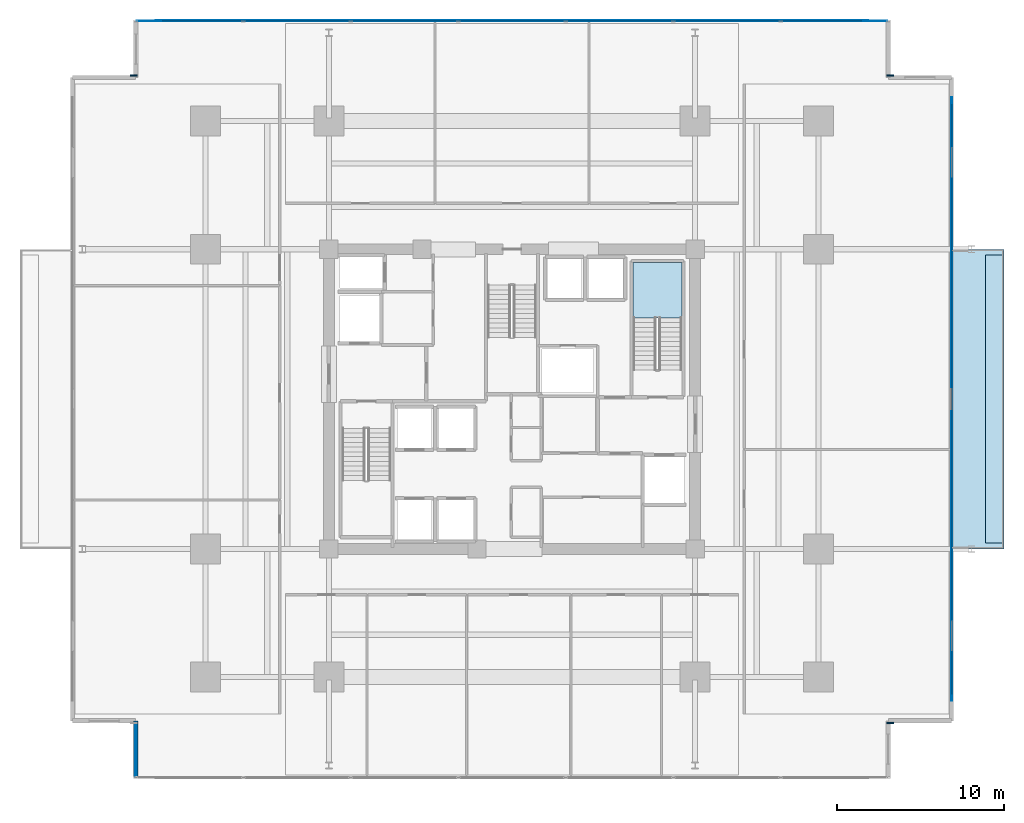
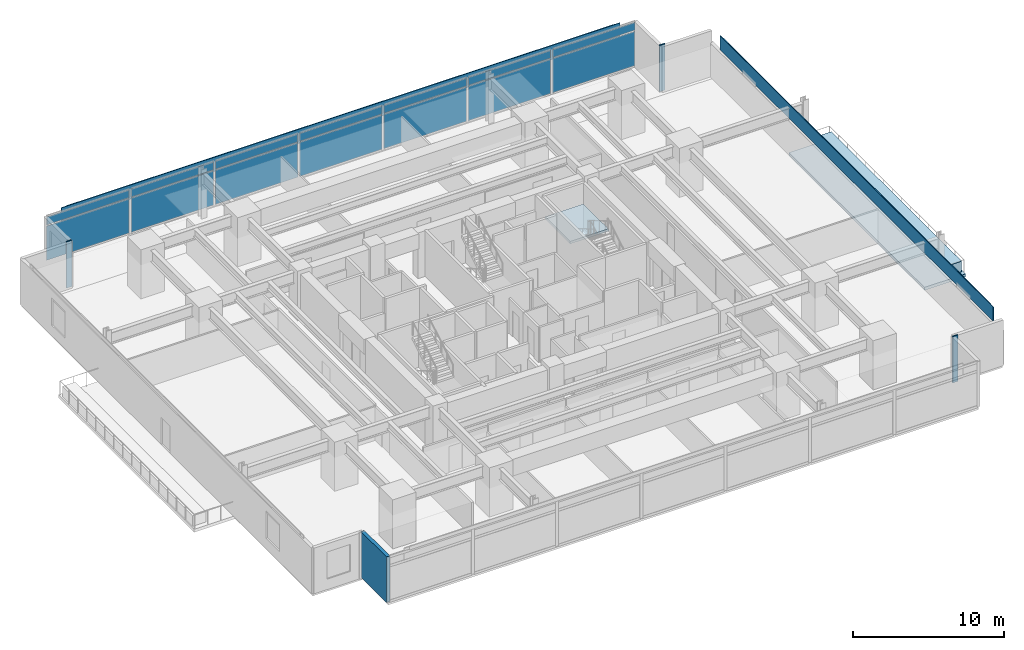
# One storey, part 15 of 23: 21 plates, 3 slabs, 1 wall, 2 elements without a shape of their own.
"""IFC4 building model written with IfcOpenShell, lengths in metres."""

import ifcopenshell
import ifcopenshell.guid

model = None  # the IFC model being written
_history = None  # IfcOwnerHistory: only IFC2X3 demands one
_inside = {}  # id of a spatial element -> (the spatial element, [elements in it])
_under = {}  # id of a project, library or spatial element -> (it, [spatial elements below it])
_declared = {}  # id of a project -> (the project, [libraries it declares])
_typed = {}  # id of a type object -> (the type object, [elements of that type])
_made_of = {}  # id of a material, layer set ... -> (it, [elements and type objects made of it])


def new_model(schema):
    """Start an empty IFC model of exactly this schema.

    Asked for "IFC4X3", IfcOpenShell would pick the latest addendum, in which some entities
    have other attributes; the version numbers below select the first issue.
    IFC2X3 requires an IfcOwnerHistory on every rooted entity: one is made here for all.
    """
    global model, _history
    if schema == "IFC4X3":
        model = ifcopenshell.file(schema_version=(4, 3, 0, 0))
    else:
        model = ifcopenshell.file(schema=schema)
    _inside.clear()
    _under.clear()
    _declared.clear()
    _typed.clear()
    _made_of.clear()
    _history = None
    if model.schema == "IFC2X3":
        org = make("IfcOrganization", Name="unknown")
        user = make(
            "IfcPersonAndOrganization",
            ThePerson=make("IfcPerson", FamilyName="unknown"),
            TheOrganization=org,
        )
        app = make(
            "IfcApplication",
            ApplicationDeveloper=org,
            Version="unknown",
            ApplicationFullName="unknown",
            ApplicationIdentifier="unknown",
        )
        _history = make(
            "IfcOwnerHistory",
            OwningUser=user,
            OwningApplication=app,
            ChangeAction="ADDED",
            CreationDate=0,
        )
    return model


def make(cls, **values):
    """One entity of the class cls with the attributes given. An attribute that is None is left unset."""
    return model.create_entity(
        cls, **{name: value for name, value in values.items() if value is not None}
    )


def rooted(cls, **values):
    """An entity with a GlobalId (a new one), such as an element, a storey or a relation."""
    return make(cls, GlobalId=ifcopenshell.guid.new(), OwnerHistory=_history, **values)


def si_unit(unit_type, name, prefix=None):
    """IfcSIUnit, for example si_unit("LENGTHUNIT", "METRE", prefix="MILLI")."""
    return make("IfcSIUnit", UnitType=unit_type, Prefix=prefix, Name=name)


def assignment(units):
    """IfcUnitAssignment: the units of a project."""
    return None if units is None else make("IfcUnitAssignment", Units=units)


def point(xyz):
    """IfcCartesianPoint."""
    return None if xyz is None else make("IfcCartesianPoint", Coordinates=xyz)


def direction(xyz):
    """IfcDirection."""
    return None if xyz is None else make("IfcDirection", DirectionRatios=xyz)


def frame(location, z_axis=None, x_axis=None):
    """IfcAxis2Placement3D, a coordinate frame: its origin and axes. An axis left out is left unset."""
    return make(
        "IfcAxis2Placement3D",
        Location=point(location),
        Axis=direction(z_axis),
        RefDirection=direction(x_axis),
    )


def frame_2d(location, x_axis=None):
    """IfcAxis2Placement2D, a coordinate frame in the plane: its origin and x axis."""
    return make(
        "IfcAxis2Placement2D", Location=point(location), RefDirection=direction(x_axis)
    )


def origin():
    """The frame at (0, 0, 0) with its axes left unset."""
    return frame((0.0, 0.0, 0.0))


def origin_2d():
    """The frame at (0, 0) in the plane with its x axis left unset."""
    return frame_2d((0.0, 0.0))


def place(relative_to, where):
    """IfcLocalPlacement: puts the frame where relative to a parent placement (None: the world)."""
    return make(
        "IfcLocalPlacement", PlacementRelTo=relative_to, RelativePlacement=where
    )


def context(
    kind, dimensions, precision=None, world=None, true_north=None, identifier=None
):
    """IfcGeometricRepresentationContext, for example the 3D "Model" context."""
    return make(
        "IfcGeometricRepresentationContext",
        ContextIdentifier=identifier,
        ContextType=kind,
        CoordinateSpaceDimension=dimensions,
        Precision=precision,
        WorldCoordinateSystem=world,
        TrueNorth=true_north,
    )


def subcontext(parent, identifier, kind, view, scale=None):
    """IfcGeometricRepresentationSubContext, for example "Body" below "Model"."""
    return make(
        "IfcGeometricRepresentationSubContext",
        ContextIdentifier=identifier,
        ContextType=kind,
        ParentContext=parent,
        TargetScale=scale,
        TargetView=view,
    )


def project(units=None, contexts=None):
    """IfcProject with its units and contexts."""
    return rooted(
        "IfcProject",
        Name="project",
        RepresentationContexts=contexts,
        UnitsInContext=assignment(units),
    )


def spatial(cls, under=None, at=None, **own):
    """A site, building, storey or space (cls), placed at a placement, below another one or the project."""
    s = rooted(cls, ObjectPlacement=at, **own)
    if under is not None:
        _under.setdefault(under.id(), (under, []))[1].append(s)
    return s


def polyline(points):
    """IfcPolyline through the points."""
    return make("IfcPolyline", Points=[point(p) for p in points])


def profile(cls, at=None, kind="AREA", **sizes):
    """A parametric profile (cls). Its sizes go by their IFC names, for example OverallWidth=200.0."""
    return make(cls, ProfileType=kind, Position=at, **sizes)


def rectangle(**sizes):
    """IfcRectangleProfileDef."""
    return profile("IfcRectangleProfileDef", **sizes)


def outline(outer, holes=None, kind="AREA"):
    """IfcArbitraryClosedProfileDef: a profile drawn as a closed curve; with holes, ...WithVoids."""
    if holes is None:
        return make("IfcArbitraryClosedProfileDef", ProfileType=kind, OuterCurve=outer)
    return make(
        "IfcArbitraryProfileDefWithVoids",
        ProfileType=kind,
        OuterCurve=outer,
        InnerCurves=holes,
    )


def extrude(swept, where, along, depth):
    """IfcExtrudedAreaSolid: the profile swept, set in the frame where, extruded along a direction by depth."""
    return make(
        "IfcExtrudedAreaSolid",
        SweptArea=swept,
        Position=where,
        ExtrudedDirection=direction(along),
        Depth=depth,
    )


def shape(context_of_items, identifier, shape_type, items):
    """IfcShapeRepresentation: the items that make up one representation, for example the "Body"."""
    return make(
        "IfcShapeRepresentation",
        ContextOfItems=context_of_items,
        RepresentationIdentifier=identifier,
        RepresentationType=shape_type,
        Items=items,
    )


def material(Name=None, Category=None):
    """IfcMaterial."""
    return make("IfcMaterial", Name=Name, Category=Category)


def layer(
    of_material, thickness, ventilated=None, Name=None, Category=None, Priority=None
):
    """IfcMaterialLayer: one layer of a wall or slab, of a material (None: an air gap)."""
    return make(
        "IfcMaterialLayer",
        Material=of_material,
        LayerThickness=thickness,
        IsVentilated=ventilated,
        Name=Name,
        Category=Category,
        Priority=Priority,
    )


def layer_set(layers, Name=None):
    """IfcMaterialLayerSet."""
    return make("IfcMaterialLayerSet", MaterialLayers=layers, LayerSetName=Name)


def made_of(thing, what):
    """Note that an element or type object is made of a material, layer set ...; save() writes the relation."""
    if what is not None:
        _made_of.setdefault(what.id(), (what, []))[1].append(thing)
    return thing


def type_object(cls, material=None, **own):
    """A type object (cls), such as IfcWallType, which elements share."""
    return made_of(rooted(cls, **own), material)


def element(
    cls,
    number,
    at=None,
    inside=None,
    cuts=None,
    type_object=None,
    material=None,
    context=None,
    identifier="Body",
    shape_type=None,
    held_by="IfcProductDefinitionShape",
    body=None,
    shapes=None,
    **own,
):
    """One element of the class cls, such as IfcWall. Its Tag is "e" and its number.

    at: its placement. inside: the storey or other place that contains it. cuts: it is an
    opening in that element (IfcRelVoidsElement). A single representation is given by context,
    identifier, shape_type and body (its items); several are given by shapes. held_by: the class
    of the entity that holds the representations. save() writes the other relations.
    """
    e = rooted(cls, Tag="e%d" % number, ObjectPlacement=at, **own)
    if body is not None:
        shapes = [shape(context, identifier, shape_type, body)]
    if shapes is not None:
        e.Representation = make(held_by, Representations=shapes)
    if inside is not None:
        _inside.setdefault(inside.id(), (inside, []))[1].append(e)
    if cuts is not None:
        rooted(
            "IfcRelVoidsElement", RelatingBuildingElement=cuts, RelatedOpeningElement=e
        )
    if type_object is not None:
        _typed.setdefault(type_object.id(), (type_object, []))[1].append(e)
    return made_of(e, material)


def aggregate(whole, parts):
    """IfcRelAggregates: a whole, such as a stair, and the parts it consists of."""
    return rooted("IfcRelAggregates", RelatingObject=whole, RelatedObjects=parts)


def save(model, path):
    """Write the relations noted so far, then the file.

    IfcRelAggregates (storeys below a building ...), IfcRelContainedInSpatialStructure (elements
    in a storey), IfcRelDefinesByType, IfcRelAssociatesMaterial and IfcRelDeclares: one each for
    every whole, place, type object, material and project.
    """
    for whole, parts in _under.values():
        aggregate(whole, parts)
    for where, things in _inside.values():
        rooted(
            "IfcRelContainedInSpatialStructure",
            RelatedElements=things,
            RelatingStructure=where,
        )
    for kind, things in _typed.values():
        rooted("IfcRelDefinesByType", RelatedObjects=things, RelatingType=kind)
    for what, things in _made_of.values():
        rooted("IfcRelAssociatesMaterial", RelatedObjects=things, RelatingMaterial=what)
    for by, libraries in _declared.values():
        rooted("IfcRelDeclares", RelatingContext=by, RelatedDefinitions=libraries)
    model.write(path)


model = new_model("IFC4")

# Units and contexts
model_context = context("Model", 3, precision=1e-05, world=origin(), true_north=direction((0.0, 1.0)))
body_context = subcontext(model_context, "Body", "Model", "MODEL_VIEW")
ifc_project = project(units=[si_unit("LENGTHUNIT", "METRE"), si_unit("AREAUNIT", "SQUARE_METRE"), si_unit("VOLUMEUNIT", "CUBIC_METRE"), si_unit("PLANEANGLEUNIT", "RADIAN"), si_unit("MASSUNIT", "GRAM", prefix="KILO")], contexts=[model_context])

# Site, building, storey
site_placement = place(None, origin())
site = spatial("IfcSite", under=ifc_project, at=site_placement, CompositionType="ELEMENT")
building_placement = place(site_placement, origin())
building = spatial("IfcBuilding", under=site, at=building_placement, Name="Kovane Verandah Tower", CompositionType="ELEMENT")
storey_placement = place(building_placement, frame((0.0, 0.0, 103.60009765625)))
storey = spatial("IfcBuildingStorey", under=building, at=storey_placement, Name="L24", CompositionType="ELEMENT", Elevation=103.60009765625)

# Curtain wall, plates
ifc_material_1 = material(Name="Champagne Anodised Aluminium Frame with Low-E Clear Laminated Glass", Category="aluminium")
curtain_wall_type = type_object("IfcCurtainWallType", Name="CW-SYS-02-LOW", PredefinedType="NOTDEFINED", material=ifc_material_1)
curtain_wall_placement = place(storey_placement, origin())
curtain_wall = element("IfcCurtainWall", 1, at=curtain_wall_placement, inside=storey, type_object=curtain_wall_type, Name="L24 N Unitised Curtain Wall", PredefinedType="NOTDEFINED")
ifc_material_2 = material(Name="Pale Champagne Anodised Aluminium Insulated Spandrel", Category="aluminium")
ifc_layer_1 = layer(ifc_material_2, 0.0400390625)
ifc_layer_set_1 = layer_set([ifc_layer_1], Name="Pale Champagne Anodised Aluminium Insulated Spandrel")
plate_type_1 = type_object("IfcPlateType", Name="PL-CW-SPD-40", PredefinedType="SHEET", material=ifc_layer_set_1)
plate_1_placement = place(storey_placement, frame((59.3701171875, 50.218994140625, 2.9697265625), z_axis=(0.0, 0.0, 1.0), x_axis=(-1.0, 0.0, 0.0)))
plate_1 = element("IfcPlate", 2, at=plate_1_placement, type_object=plate_type_1, Name="L24 N Unitised Curtain Wall Spandrel Panel 1", PredefinedType="SHEET", context=body_context, shape_type="SweptSolid", body=[
    extrude(rectangle(XDim=6.316650390625, YDim=0.0400390625, at=origin_2d()), origin(), (0.0, 0.0, 1.0), 0.639892578125),
])
plate_2_placement = place(storey_placement, frame((52.91357421875, 50.218994140625, 2.9697265625), z_axis=(0.0, 0.0, 1.0), x_axis=(-1.0, 0.0, 0.0)))
plate_2 = element("IfcPlate", 3, at=plate_2_placement, type_object=plate_type_1, Name="L24 N Unitised Curtain Wall Spandrel Panel 2", PredefinedType="SHEET", context=body_context, shape_type="SweptSolid", body=[
    extrude(rectangle(XDim=6.316650390625, YDim=0.0400390625, at=origin_2d()), origin(), (0.0, 0.0, 1.0), 0.639892578125),
])
plate_3_placement = place(storey_placement, frame((46.456787109375, 50.218994140625, 2.9697265625), z_axis=(0.0, 0.0, 1.0), x_axis=(-1.0, 0.0, 0.0)))
plate_3 = element("IfcPlate", 4, at=plate_3_placement, type_object=plate_type_1, Name="L24 N Unitised Curtain Wall Spandrel Panel 3", PredefinedType="SHEET", context=body_context, shape_type="SweptSolid", body=[
    extrude(rectangle(XDim=6.316650390625, YDim=0.0400390625, at=origin_2d()), origin(), (0.0, 0.0, 1.0), 0.639892578125),
])
plate_4_placement = place(storey_placement, frame((40.0, 50.218994140625, 2.9697265625), z_axis=(0.0, 0.0, 1.0), x_axis=(-1.0, 0.0, 0.0)))
plate_4 = element("IfcPlate", 5, at=plate_4_placement, type_object=plate_type_1, Name="L24 N Unitised Curtain Wall Spandrel Panel 4", PredefinedType="SHEET", context=body_context, shape_type="SweptSolid", body=[
    extrude(rectangle(XDim=6.316650390625, YDim=0.0400390625, at=origin_2d()), origin(), (0.0, 0.0, 1.0), 0.639892578125),
])
plate_5_placement = place(storey_placement, frame((33.543212890625, 50.218994140625, 2.9697265625), z_axis=(0.0, 0.0, 1.0), x_axis=(-1.0, 0.0, 0.0)))
plate_5 = element("IfcPlate", 6, at=plate_5_placement, type_object=plate_type_1, Name="L24 N Unitised Curtain Wall Spandrel Panel 5", PredefinedType="SHEET", context=body_context, shape_type="SweptSolid", body=[
    extrude(rectangle(XDim=6.316650390625, YDim=0.0400390625, at=origin_2d()), origin(), (0.0, 0.0, 1.0), 0.639892578125),
])
plate_6_placement = place(storey_placement, frame((27.08642578125, 50.218994140625, 2.9697265625), z_axis=(0.0, 0.0, 1.0), x_axis=(-1.0, 0.0, 0.0)))
plate_6 = element("IfcPlate", 7, at=plate_6_placement, type_object=plate_type_1, Name="L24 N Unitised Curtain Wall Spandrel Panel 6", PredefinedType="SHEET", context=body_context, shape_type="SweptSolid", body=[
    extrude(rectangle(XDim=6.316650390625, YDim=0.0400390625, at=origin_2d()), origin(), (0.0, 0.0, 1.0), 0.639892578125),
])
plate_7_placement = place(storey_placement, frame((20.6298828125, 50.218994140625, 2.9697265625), z_axis=(0.0, 0.0, 1.0), x_axis=(-1.0, 0.0, 0.0)))
plate_7 = element("IfcPlate", 8, at=plate_7_placement, type_object=plate_type_1, Name="L24 N Unitised Curtain Wall Spandrel Panel 7", PredefinedType="SHEET", context=body_context, shape_type="SweptSolid", body=[
    extrude(rectangle(XDim=6.316650390625, YDim=0.0400390625, at=origin_2d()), origin(), (0.0, 0.0, 1.0), 0.639892578125),
])
ifc_material_3 = material(Name="Clear Low-E Laminated Double Glazing", Category="glass")
ifc_layer_2 = layer(ifc_material_3, 0.031982421875)
ifc_layer_set_2 = layer_set([ifc_layer_2], Name="Clear Low-E Laminated Double Glazing")
plate_type_2 = type_object("IfcPlateType", Name="PL-CW-VIS-32", PredefinedType="CURTAIN_PANEL", material=ifc_layer_set_2)
plate_8_placement = place(storey_placement, frame((59.3701171875, 50.218994140625, 0.099853515625), z_axis=(0.0, 0.0, 1.0), x_axis=(-1.0, 0.0, 0.0)))
plate_8 = element("IfcPlate", 9, at=plate_8_placement, type_object=plate_type_2, Name="L24 N Unitised Curtain Wall Vision Panel 1", PredefinedType="CURTAIN_PANEL", context=body_context, shape_type="SweptSolid", body=[
    extrude(rectangle(XDim=6.316650390625, YDim=0.031982421875, at=origin_2d()), origin(), (0.0, 0.0, 1.0), 2.77001953125),
])
plate_9_placement = place(storey_placement, frame((52.91357421875, 50.218994140625, 0.099853515625), z_axis=(0.0, 0.0, 1.0), x_axis=(-1.0, 0.0, 0.0)))
plate_9 = element("IfcPlate", 10, at=plate_9_placement, type_object=plate_type_2, Name="L24 N Unitised Curtain Wall Vision Panel 2", PredefinedType="CURTAIN_PANEL", context=body_context, shape_type="SweptSolid", body=[
    extrude(rectangle(XDim=6.316650390625, YDim=0.031982421875, at=origin_2d()), origin(), (0.0, 0.0, 1.0), 2.77001953125),
])
plate_10_placement = place(storey_placement, frame((46.456787109375, 50.218994140625, 0.099853515625), z_axis=(0.0, 0.0, 1.0), x_axis=(-1.0, 0.0, 0.0)))
plate_10 = element("IfcPlate", 11, at=plate_10_placement, type_object=plate_type_2, Name="L24 N Unitised Curtain Wall Vision Panel 3", PredefinedType="CURTAIN_PANEL", context=body_context, shape_type="SweptSolid", body=[
    extrude(rectangle(XDim=6.316650390625, YDim=0.031982421875, at=origin_2d()), origin(), (0.0, 0.0, 1.0), 2.77001953125),
])
plate_11_placement = place(storey_placement, frame((40.0, 50.218994140625, 0.099853515625), z_axis=(0.0, 0.0, 1.0), x_axis=(-1.0, 0.0, 0.0)))
plate_11 = element("IfcPlate", 12, at=plate_11_placement, type_object=plate_type_2, Name="L24 N Unitised Curtain Wall Vision Panel 4", PredefinedType="CURTAIN_PANEL", context=body_context, shape_type="SweptSolid", body=[
    extrude(rectangle(XDim=6.316650390625, YDim=0.031982421875, at=origin_2d()), origin(), (0.0, 0.0, 1.0), 2.77001953125),
])
plate_12_placement = place(storey_placement, frame((33.543212890625, 50.218994140625, 0.099853515625), z_axis=(0.0, 0.0, 1.0), x_axis=(-1.0, 0.0, 0.0)))
plate_12 = element("IfcPlate", 13, at=plate_12_placement, type_object=plate_type_2, Name="L24 N Unitised Curtain Wall Vision Panel 5", PredefinedType="CURTAIN_PANEL", context=body_context, shape_type="SweptSolid", body=[
    extrude(rectangle(XDim=6.316650390625, YDim=0.031982421875, at=origin_2d()), origin(), (0.0, 0.0, 1.0), 2.77001953125),
])
plate_13_placement = place(storey_placement, frame((27.08642578125, 50.218994140625, 0.099853515625), z_axis=(0.0, 0.0, 1.0), x_axis=(-1.0, 0.0, 0.0)))
plate_13 = element("IfcPlate", 14, at=plate_13_placement, type_object=plate_type_2, Name="L24 N Unitised Curtain Wall Vision Panel 6", PredefinedType="CURTAIN_PANEL", context=body_context, shape_type="SweptSolid", body=[
    extrude(rectangle(XDim=6.316650390625, YDim=0.031982421875, at=origin_2d()), origin(), (0.0, 0.0, 1.0), 2.77001953125),
])
plate_14_placement = place(storey_placement, frame((20.6298828125, 50.218994140625, 0.099853515625), z_axis=(0.0, 0.0, 1.0), x_axis=(-1.0, 0.0, 0.0)))
plate_14 = element("IfcPlate", 15, at=plate_14_placement, type_object=plate_type_2, Name="L24 N Unitised Curtain Wall Vision Panel 7", PredefinedType="CURTAIN_PANEL", context=body_context, shape_type="SweptSolid", body=[
    extrude(rectangle(XDim=6.316650390625, YDim=0.031982421875, at=origin_2d()), origin(), (0.0, 0.0, 1.0), 2.77001953125),
])
aggregate(curtain_wall, [plate_8, plate_1, plate_9, plate_2, plate_10, plate_3, plate_11, plate_4, plate_12, plate_5, plate_13, plate_6, plate_14, plate_7])

# Plates
ifc_material_4 = material(Name="Timber-Toned Subtropical Aluminium Vertical Blade", Category="wood")
ifc_layer_3 = layer(ifc_material_4, 0.090087890625)
ifc_layer_set_3 = layer_set([ifc_layer_3], Name="Timber-Toned Subtropical Aluminium Vertical Blade")
plate_type_3 = type_object("IfcPlateType", Name="PL-FIN-90", PredefinedType="USERDEFINED", material=ifc_layer_set_3)
for number, where, z_axis, x_axis, name in (
    (16, (62.718505859375, 8.06103515625, -0.02001953125), (0.0, 0.0, 1.0), (1.0, 0.0, 0.0), "L24 SE Timber-Toned Vertical Corner Fin"),
    (17, (62.718505859375, 46.93896484375, -0.02001953125), (0.0, 0.0, 1.0), (1.0, 0.0, 0.0), "L24 NE Timber-Toned Vertical Corner Fin"),
    (18, (17.281494140625, 46.93896484375, -0.02001953125), (0.0, 0.0, 1.0), (1.0, 0.0, 0.0), "L24 NW Timber-Toned Vertical Corner Fin"),
):
    element("IfcPlate", number, at=place(storey_placement, frame(where, z_axis=z_axis, x_axis=x_axis)), inside=storey, type_object=plate_type_3, Name=name, ObjectType="FIN", PredefinedType="USERDEFINED", context=body_context, shape_type="SweptSolid", body=[
        extrude(rectangle(XDim=0.419921875, YDim=0.090087890625, at=origin_2d()), origin(), (0.0, 0.0, 1.0), 3.760009765625),
    ])
ifc_material_5 = material(Name="Perforated Pale Champagne Anodised Aluminium Solar Screen", Category="aluminium")
ifc_layer_4 = layer(ifc_material_5, 0.050048828125)
ifc_layer_set_4 = layer_set([ifc_layer_4], Name="Perforated Pale Champagne Anodised Aluminium Solar Screen")
plate_type_4 = type_object("IfcPlateType", Name="PL-SCREEN-50", PredefinedType="USERDEFINED", material=ifc_layer_set_4)
plate_15_placement = place(storey_placement, frame((66.41357421875, 27.5, 2.800048828125), z_axis=(0.0, 0.0, 1.0), x_axis=(0.0, 1.0, 0.0)))
element("IfcPlate", 19, at=plate_15_placement, inside=storey, type_object=plate_type_4, Name="L24 E Perforated Champagne-Gold Solar Screen", ObjectType="SCREEN", PredefinedType="USERDEFINED", context=body_context, shape_type="SweptSolid", body=[
    extrude(rectangle(XDim=36.238037109375, YDim=0.050048828125, at=origin_2d()), origin(), (0.0, 0.0, 1.0), 1.14990234375),
])
plate_16_placement = place(storey_placement, frame((40.0, 50.23388671875, 2.800048828125), z_axis=(0.0, 0.0, 1.0), x_axis=(-1.0, 0.0, 0.0)))
element("IfcPlate", 20, at=plate_16_placement, inside=storey, type_object=plate_type_4, Name="L24 N Perforated Champagne-Gold Solar Screen", ObjectType="SCREEN", PredefinedType="USERDEFINED", context=body_context, shape_type="SweptSolid", body=[
    extrude(rectangle(XDim=42.797119140625, YDim=0.050048828125, at=origin_2d()), origin(), (0.0, 0.0, 1.0), 1.14990234375),
])
ifc_material_6 = material(Name="Extruded Pale-Bronze Aluminium Aerofoil Sunshade", Category="aluminium")
ifc_layer_5 = layer(ifc_material_6, 0.06005859375)
ifc_layer_set_5 = layer_set([ifc_layer_5], Name="Extruded Pale-Bronze Aluminium Aerofoil Sunshade")
plate_type_5 = type_object("IfcPlateType", Name="PL-SUNSHADE-60", PredefinedType="USERDEFINED", material=ifc_layer_set_5)
plate_17_placement = place(storey_placement, frame((66.418701171875, 27.5, 3.6796875), z_axis=(0.0, 0.0, 1.0), x_axis=(0.0, 1.0, 0.0)))
element("IfcPlate", 21, at=plate_17_placement, inside=storey, type_object=plate_type_5, Name="L24 E Subtropical Aerofoil Sunshade", ObjectType="SUNSHADE", PredefinedType="USERDEFINED", context=body_context, shape_type="SweptSolid", body=[
    extrude(rectangle(XDim=35.43798828125, YDim=0.06005859375, at=origin_2d()), origin(), (0.0, 0.0, 1.0), 0.280029296875),
])
plate_18_placement = place(storey_placement, frame((40.0, 50.239013671875, 3.6796875), z_axis=(0.0, 0.0, 1.0), x_axis=(-1.0, 0.0, 0.0)))
element("IfcPlate", 22, at=plate_18_placement, inside=storey, type_object=plate_type_5, Name="L24 N Subtropical Aerofoil Sunshade", ObjectType="SUNSHADE", PredefinedType="USERDEFINED", context=body_context, shape_type="SweptSolid", body=[
    extrude(rectangle(XDim=41.9970703125, YDim=0.06005859375, at=origin_2d()), origin(), (0.0, 0.0, 1.0), 0.280029296875),
])

# Slab
ifc_material_7 = material(Name="Concrete C45/55", Category="concrete")
ifc_layer_6 = layer(ifc_material_7, 0.239990234375)
ifc_layer_set_6 = layer_set([ifc_layer_6], Name="Concrete C45/55")
slab_type_1 = type_object("IfcSlabType", Name="SL-BALC-240", PredefinedType="FLOOR", material=ifc_layer_set_6)
slab_1_placement = place(storey_placement, frame((0.0, 0.0, -0.239990234375)))
element("IfcSlab", 23, at=slab_1_placement, inside=storey, type_object=slab_type_1, Name="L24 E Planted Verandah Balcony Slab", PredefinedType="FLOOR", context=body_context, shape_type="SweptSolid", body=[
    extrude(outline(polyline([(66.398681640625, 18.5), (69.548583984375, 18.5), (69.548583984375, 36.5), (66.398681640625, 36.5), (66.398681640625, 18.5)])), origin(), (0.0, 0.0, 1.0), 0.239990234375),
])

# Stair, slab
stair_type = type_object("IfcStairType", Name="ST-CORE-1380", PredefinedType="HALF_TURN_STAIR", material=ifc_material_7)
stair_placement = place(storey_placement, origin())
stair = element("IfcStair", 24, at=stair_placement, inside=storey, type_object=stair_type, Name="L24 Exit Stair ST-02", PredefinedType="HALF_TURN_STAIR")
ifc_layer_7 = layer(ifc_material_7, 0.199951171875)
ifc_layer_set_7 = layer_set([ifc_layer_7], Name="Concrete C45/55")
slab_type_2 = type_object("IfcSlabType", Name="SL-LAND-200", PredefinedType="LANDING", material=ifc_layer_set_7)
slab_2_placement = place(storey_placement, frame((0.0, 0.0, 1.7998046875)))
slab_2 = element("IfcSlab", 25, at=slab_2_placement, type_object=slab_type_2, Name="ST-02 landing 1", PredefinedType="LANDING", context=body_context, shape_type="SweptSolid", body=[
    extrude(outline(polyline([(50.199951171875, 32.385009765625), (50.199951171875, 35.699951171875), (47.280029296875, 35.699951171875), (47.280029296875, 32.385009765625), (50.199951171875, 32.385009765625)])), origin(), (0.0, 0.0, 1.0), 0.2001953125),
])
aggregate(stair, [slab_2])

# Slab
ifc_material_8 = material(Name="Architectural Precast Concrete C45/55 Planter Trough", Category="concrete")
ifc_layer_8 = layer(ifc_material_8, 0.219970703125)
ifc_layer_set_8 = layer_set([ifc_layer_8], Name="Architectural Precast Concrete C45/55 Planter Trough")
slab_type_3 = type_object("IfcSlabType", Name="SL-PLANTER-220", PredefinedType="USERDEFINED", material=ifc_layer_set_8)
slab_3_placement = place(storey_placement, origin())
element("IfcSlab", 26, at=slab_3_placement, inside=storey, type_object=slab_type_3, Name="L24 E Structural Tree Planter", ObjectType="PLANTER", PredefinedType="USERDEFINED", context=body_context, shape_type="SweptSolid", body=[
    extrude(outline(polyline([(68.448486328125, 18.85009765625), (69.448486328125, 18.85009765625), (69.448486328125, 36.14990234375), (68.448486328125, 36.14990234375), (68.448486328125, 18.85009765625)])), origin(), (0.0, 0.0, 1.0), 0.849853515625),
])

# Wall
ifc_material_9 = material(Name="Concrete C45/55 Insulated Spandrel Wall", Category="concrete")
ifc_layer_9 = layer(ifc_material_9, 0.260009765625)
ifc_layer_set_9 = layer_set([ifc_layer_9], Name="Concrete C45/55 Insulated Spandrel Wall")
wall_type = type_object("IfcWallType", Name="WL-SPANDREL-260", PredefinedType="PARAPET", material=ifc_layer_set_9)
wall_placement = place(storey_placement, frame((17.4013671875, 8.180908203125, 0.0), z_axis=(0.0, 0.0, 1.0), x_axis=(0.0, -1.0, 0.0)))
element("IfcWall", 27, at=wall_placement, inside=storey, type_object=wall_type, Name="L24 SW Notch Cheek Wall 2", PredefinedType="PARAPET", context=body_context, shape_type="SweptSolid", body=[
    extrude(rectangle(XDim=3.39990234375, YDim=0.260009765625, at=frame_2d((1.699951171875, 0.0))), origin(), (0.0, 0.0, 1.0), 3.699951171875),
])

save(model, "model.ifc")
